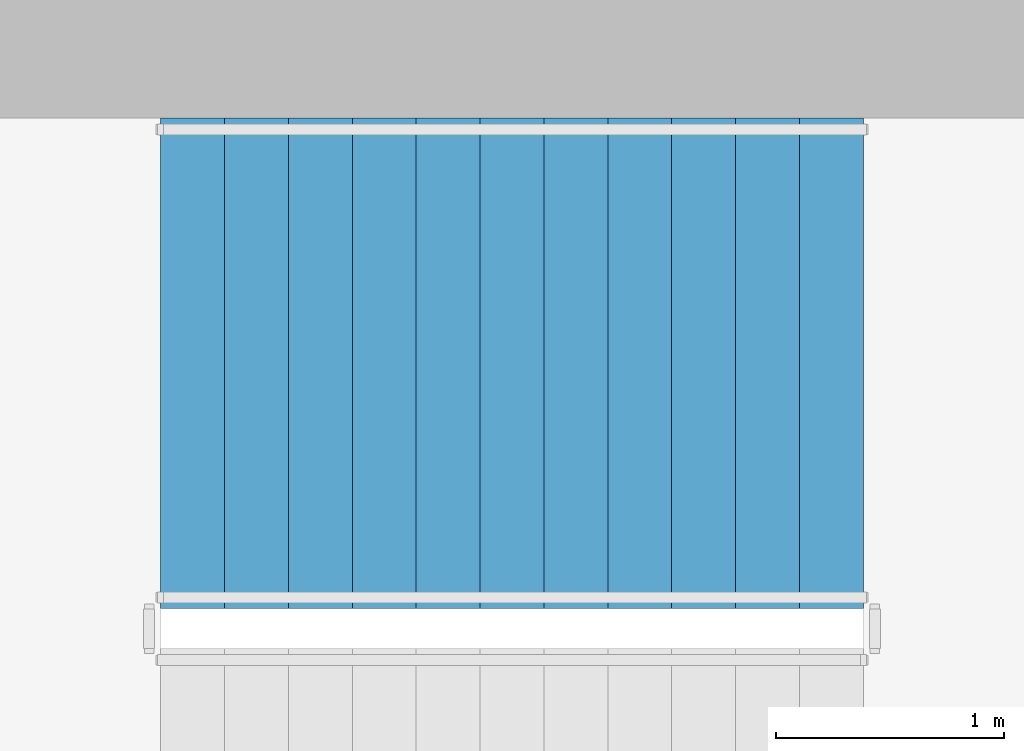
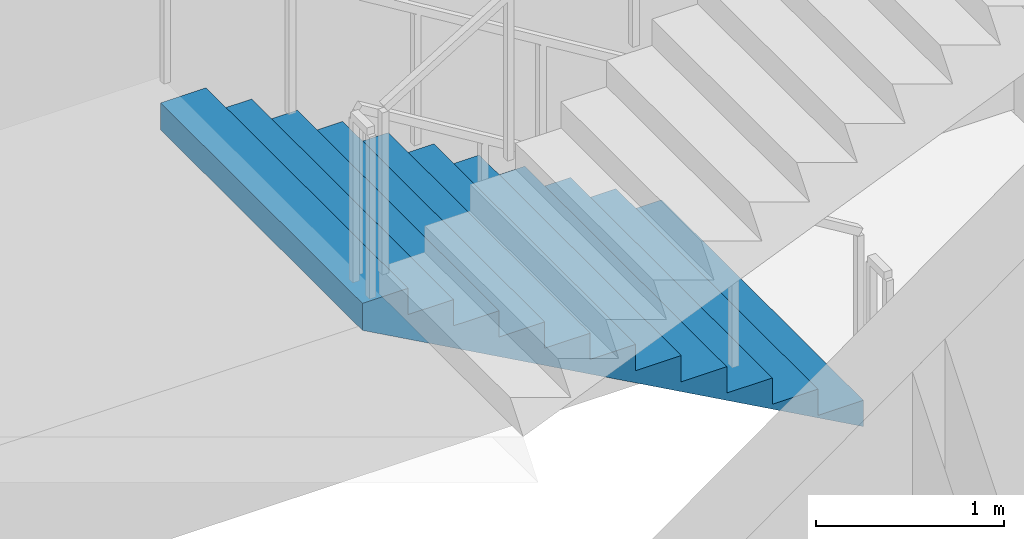
# One storey, part 9 of 15: 1 stair flight, 1 element without a shape of its own.
"""IFC4 building model written with IfcOpenShell, lengths in metres."""

from ifc_helpers import new_model, si_unit, direction, frame, origin, place, context, subcontext, project, spatial, triangles, material, type_object, element, aggregate, save


model = new_model("IFC4")

# Units and contexts
model_context = context("Model", 3, precision=1e-05, world=origin(), true_north=direction((0.0, 1.0)))
body_context = subcontext(model_context, "Body", "Model", "MODEL_VIEW")
ifc_project = project(units=[si_unit("LENGTHUNIT", "METRE"), si_unit("AREAUNIT", "SQUARE_METRE"), si_unit("VOLUMEUNIT", "CUBIC_METRE"), si_unit("PLANEANGLEUNIT", "RADIAN"), si_unit("MASSUNIT", "GRAM", prefix="KILO")], contexts=[model_context])

# Site, building, storey
site_placement = place(None, origin())
site = spatial("IfcSite", under=ifc_project, at=site_placement, CompositionType="ELEMENT")
building_placement = place(site_placement, origin())
building = spatial("IfcBuilding", under=site, at=building_placement, Name="Cypress Arch Tower", CompositionType="ELEMENT")
storey_placement = place(building_placement, frame((0.0, 0.0, 213.800048828125)))
storey = spatial("IfcBuildingStorey", under=building, at=storey_placement, Name="L47", CompositionType="ELEMENT", Elevation=213.800048828125)

# Stair, stair flight
ifc_material_1 = material(Name="Concrete C40/50", Category="concrete")
stair_type = type_object("IfcStairType", Name="Exit stair ES1708-215", PredefinedType="HALF_TURN_STAIR", material=ifc_material_1)
stair_placement = place(storey_placement, origin())
stair = element("IfcStair", 1, at=stair_placement, inside=storey, type_object=stair_type, Name="L47 Exit stair B", PredefinedType="HALF_TURN_STAIR")
ifc_material_2 = material(Name="Concrete C40/50", Category="concrete")
stair_flight_type = type_object("IfcStairFlightType", Name="Exit stair flight ES1708-215", PredefinedType="STRAIGHT", material=ifc_material_2)
stair_flight_placement = place(storey_placement, frame((-22.27490234375, 13.72509765625, 0.0), z_axis=(0.0, 0.0, 1.0), x_axis=(-1.0, 0.0, 0.0)))
stair_flight = element("IfcStairFlight", 2, at=stair_flight_placement, type_object=stair_flight_type, Name="B flight 1", NumberOfRisers=12, NumberOfTreads=11, PredefinedType="STRAIGHT", RiserHeight=0.170833333, TreadLength=0.28, context=body_context, shape_type="Tessellation", body=[
    triangles([(0.0, -1.074951171875, 0.0), (0.000244140625, -1.074951171875, 0.01904296875), (0.000244140625, -1.074951171875, 0.0380859375), (0.00048828125, -1.074951171875, 0.056884765625), (0.00048828125, -1.074951171875, 0.075927734375), (0.00048828125, -1.074951171875, 0.094970703125), (0.00048828125, -1.074951171875, 0.114013671875), (0.000244140625, -1.074951171875, 0.1328125), (0.000244140625, -1.074951171875, 0.15185546875), (0.0, -1.074951171875, 0.1708984375), (0.280029296875, -1.074951171875, 0.1708984375), (0.280029296875, -1.074951171875, 0.341552734375), (0.56005859375, -1.074951171875, 0.341552734375), (0.56005859375, -1.074951171875, 0.512451171875), (0.840087890625, -1.074951171875, 0.512451171875), (0.840087890625, -1.074951171875, 0.683349609375), (1.1201171875, -1.074951171875, 0.683349609375), (1.1201171875, -1.074951171875, 0.854248046875), (1.39990234375, -1.074951171875, 0.854248046875), (1.39990234375, -1.074951171875, 1.02490234375), (1.679931640625, -1.074951171875, 1.02490234375), (1.679931640625, -1.074951171875, 1.19580078125), (1.9599609375, -1.074951171875, 1.19580078125), (1.9599609375, -1.074951171875, 1.36669921875), (2.239990234375, -1.074951171875, 1.36669921875), (2.239990234375, -1.074951171875, 1.53759765625), (2.52001953125, -1.074951171875, 1.53759765625), (2.52001953125, -1.074951171875, 1.708251953125), (2.800048828125, -1.074951171875, 1.708251953125), (2.800048828125, -1.074951171875, 1.879150390625), (3.080078125, -1.074951171875, 1.879150390625), (3.079833984375, -1.074951171875, 1.859619140625), (3.079833984375, -1.074951171875, 1.840087890625), (3.07958984375, -1.074951171875, 1.820556640625), (3.07958984375, -1.074951171875, 1.801025390625), (3.07958984375, -1.074951171875, 1.78173828125), (3.07958984375, -1.074951171875, 1.76220703125), (3.079833984375, -1.074951171875, 1.74267578125), (3.079833984375, -1.074951171875, 1.72314453125), (3.080078125, -1.074951171875, 1.70361328125), (3.080078125, 1.074951171875, 1.70361328125), (3.079833984375, 1.074951171875, 1.72314453125), (3.079833984375, 1.074951171875, 1.74267578125), (3.07958984375, 1.074951171875, 1.76220703125), (3.07958984375, 1.074951171875, 1.78173828125), (3.07958984375, 1.074951171875, 1.801025390625), (3.07958984375, 1.074951171875, 1.820556640625), (3.079833984375, 1.074951171875, 1.840087890625), (3.079833984375, 1.074951171875, 1.859619140625), (3.080078125, 1.074951171875, 1.879150390625), (2.800048828125, 1.074951171875, 1.879150390625), (2.800048828125, 1.074951171875, 1.708251953125), (2.52001953125, 1.074951171875, 1.708251953125), (2.52001953125, 1.074951171875, 1.53759765625), (2.239990234375, 1.074951171875, 1.53759765625), (2.239990234375, 1.074951171875, 1.36669921875), (1.9599609375, 1.074951171875, 1.36669921875), (1.9599609375, 1.074951171875, 1.19580078125), (1.679931640625, 1.074951171875, 1.19580078125), (1.679931640625, 1.074951171875, 1.02490234375), (1.39990234375, 1.074951171875, 1.02490234375), (1.39990234375, 1.074951171875, 0.854248046875), (1.1201171875, 1.074951171875, 0.854248046875), (1.1201171875, 1.074951171875, 0.683349609375), (0.840087890625, 1.074951171875, 0.683349609375), (0.840087890625, 1.074951171875, 0.512451171875), (0.56005859375, 1.074951171875, 0.512451171875), (0.56005859375, 1.074951171875, 0.341552734375), (0.280029296875, 1.074951171875, 0.341552734375), (0.280029296875, 1.074951171875, 0.1708984375), (0.0, 1.074951171875, 0.1708984375), (0.000244140625, 1.074951171875, 0.15185546875), (0.000244140625, 1.074951171875, 0.1328125), (0.00048828125, 1.074951171875, 0.114013671875), (0.00048828125, 1.074951171875, 0.094970703125), (0.00048828125, 1.074951171875, 0.075927734375), (0.00048828125, 1.074951171875, 0.056884765625), (0.000244140625, 1.074951171875, 0.0380859375), (0.000244140625, 1.074951171875, 0.01904296875), (0.0, 1.074951171875, 0.0)], [[40, 39, 30], [39, 38, 30], [38, 37, 30], [37, 36, 30], [36, 35, 30], [35, 34, 30], [34, 33, 30], [33, 32, 30], [32, 31, 30], [19, 18, 17], [27, 26, 25], [25, 24, 23], [23, 22, 21], [17, 16, 15], [15, 14, 13], [10, 9, 11], [9, 8, 11], [8, 7, 11], [7, 6, 11], [6, 5, 11], [5, 4, 11], [4, 3, 11], [3, 2, 11], [2, 1, 11], [29, 28, 27], [21, 20, 19], [13, 12, 11], [40, 30, 29], [40, 29, 27], [40, 27, 25], [40, 25, 23], [40, 23, 21], [40, 21, 19], [40, 19, 17], [40, 17, 15], [40, 15, 13], [1, 40, 13], [13, 11, 1], [41, 51, 42], [42, 51, 43], [43, 51, 44], [44, 51, 45], [45, 51, 46], [46, 51, 47], [47, 51, 48], [48, 51, 49], [49, 51, 50], [62, 64, 63], [54, 56, 55], [56, 58, 57], [58, 60, 59], [64, 66, 65], [66, 68, 67], [71, 70, 72], [72, 70, 73], [73, 70, 74], [74, 70, 75], [75, 70, 76], [76, 70, 77], [77, 70, 78], [78, 70, 79], [79, 70, 80], [52, 54, 53], [60, 62, 61], [68, 70, 69], [41, 52, 51], [41, 54, 52], [41, 56, 54], [41, 58, 56], [41, 60, 58], [41, 62, 60], [41, 64, 62], [41, 66, 64], [41, 68, 66], [80, 68, 41], [68, 80, 70], [41, 42, 39], [41, 39, 40], [42, 43, 38], [42, 38, 39], [43, 44, 37], [43, 37, 38], [44, 45, 36], [44, 36, 37], [45, 46, 35], [45, 35, 36], [46, 47, 34], [46, 34, 35], [47, 48, 33], [47, 33, 34], [48, 49, 32], [48, 32, 33], [49, 50, 31], [49, 31, 32], [50, 51, 30], [50, 30, 31], [51, 52, 29], [51, 29, 30], [52, 53, 28], [52, 28, 29], [53, 54, 27], [53, 27, 28], [54, 55, 26], [54, 26, 27], [55, 56, 25], [55, 25, 26], [56, 57, 24], [56, 24, 25], [57, 58, 23], [57, 23, 24], [58, 59, 22], [58, 22, 23], [59, 60, 21], [59, 21, 22], [60, 61, 20], [60, 20, 21], [61, 62, 19], [61, 19, 20], [62, 63, 18], [62, 18, 19], [63, 64, 17], [63, 17, 18], [64, 65, 16], [64, 16, 17], [65, 66, 15], [65, 15, 16], [66, 67, 14], [66, 14, 15], [67, 68, 13], [67, 13, 14], [68, 69, 12], [68, 12, 13], [69, 70, 11], [69, 11, 12], [70, 71, 10], [70, 10, 11], [71, 72, 9], [71, 9, 10], [72, 73, 8], [72, 8, 9], [73, 74, 7], [73, 7, 8], [74, 75, 6], [74, 6, 7], [75, 76, 5], [75, 5, 6], [76, 77, 4], [76, 4, 5], [77, 78, 3], [77, 3, 4], [78, 79, 2], [78, 2, 3], [79, 80, 1], [79, 1, 2], [80, 41, 40], [80, 40, 1]], closed=True),
])
aggregate(stair, [stair_flight])

save(model, "model.ifc")
